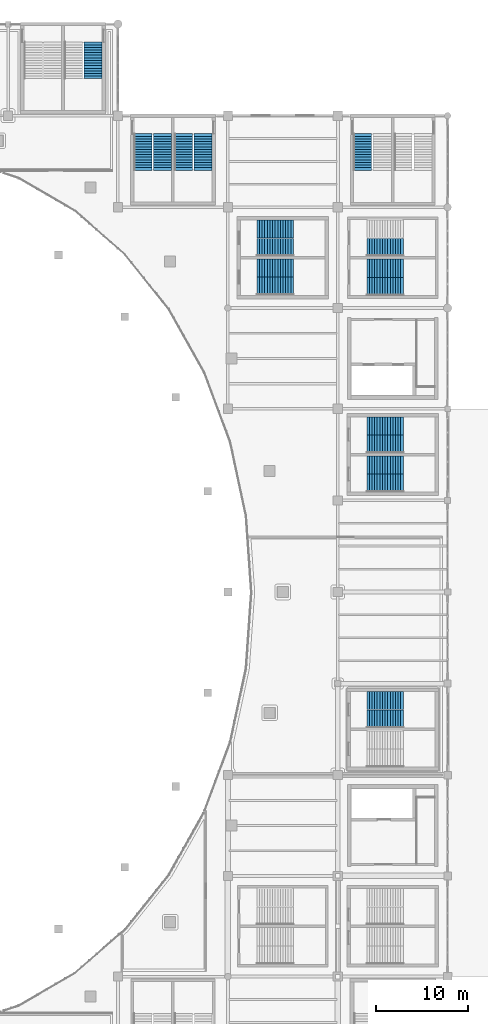
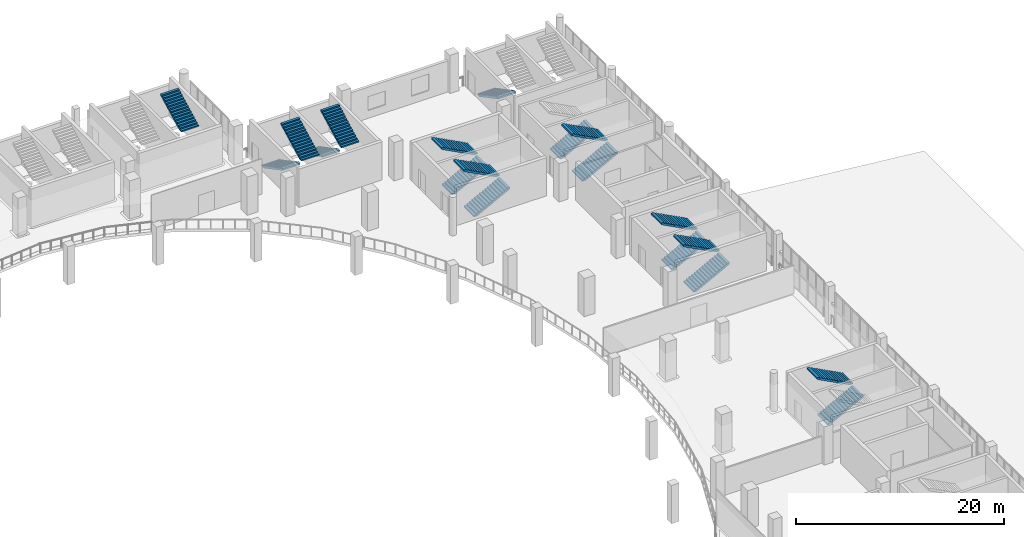
# One storey, part 90 of 108: 19 stair flights, 11 elements without a shape of their own.
"""IFC4 building model written with IfcOpenShell, lengths in metres."""

import ifcopenshell
import ifcopenshell.guid

model = None  # the IFC model being written
_history = None  # IfcOwnerHistory: only IFC2X3 demands one
_inside = {}  # id of a spatial element -> (the spatial element, [elements in it])
_under = {}  # id of a project, library or spatial element -> (it, [spatial elements below it])
_declared = {}  # id of a project -> (the project, [libraries it declares])
_typed = {}  # id of a type object -> (the type object, [elements of that type])
_made_of = {}  # id of a material, layer set ... -> (it, [elements and type objects made of it])


def new_model(schema):
    """Start an empty IFC model of exactly this schema.

    Asked for "IFC4X3", IfcOpenShell would pick the latest addendum, in which some entities
    have other attributes; the version numbers below select the first issue.
    IFC2X3 requires an IfcOwnerHistory on every rooted entity: one is made here for all.
    """
    global model, _history
    if schema == "IFC4X3":
        model = ifcopenshell.file(schema_version=(4, 3, 0, 0))
    else:
        model = ifcopenshell.file(schema=schema)
    _inside.clear()
    _under.clear()
    _declared.clear()
    _typed.clear()
    _made_of.clear()
    _history = None
    if model.schema == "IFC2X3":
        org = make("IfcOrganization", Name="unknown")
        user = make(
            "IfcPersonAndOrganization",
            ThePerson=make("IfcPerson", FamilyName="unknown"),
            TheOrganization=org,
        )
        app = make(
            "IfcApplication",
            ApplicationDeveloper=org,
            Version="unknown",
            ApplicationFullName="unknown",
            ApplicationIdentifier="unknown",
        )
        _history = make(
            "IfcOwnerHistory",
            OwningUser=user,
            OwningApplication=app,
            ChangeAction="ADDED",
            CreationDate=0,
        )
    return model


def make(cls, **values):
    """One entity of the class cls with the attributes given. An attribute that is None is left unset."""
    return model.create_entity(
        cls, **{name: value for name, value in values.items() if value is not None}
    )


def rooted(cls, **values):
    """An entity with a GlobalId (a new one), such as an element, a storey or a relation."""
    return make(cls, GlobalId=ifcopenshell.guid.new(), OwnerHistory=_history, **values)


def si_unit(unit_type, name, prefix=None):
    """IfcSIUnit, for example si_unit("LENGTHUNIT", "METRE", prefix="MILLI")."""
    return make("IfcSIUnit", UnitType=unit_type, Prefix=prefix, Name=name)


def assignment(units):
    """IfcUnitAssignment: the units of a project."""
    return None if units is None else make("IfcUnitAssignment", Units=units)


def point(xyz):
    """IfcCartesianPoint."""
    return None if xyz is None else make("IfcCartesianPoint", Coordinates=xyz)


def direction(xyz):
    """IfcDirection."""
    return None if xyz is None else make("IfcDirection", DirectionRatios=xyz)


def frame(location, z_axis=None, x_axis=None):
    """IfcAxis2Placement3D, a coordinate frame: its origin and axes. An axis left out is left unset."""
    return make(
        "IfcAxis2Placement3D",
        Location=point(location),
        Axis=direction(z_axis),
        RefDirection=direction(x_axis),
    )


def origin():
    """The frame at (0, 0, 0) with its axes left unset."""
    return frame((0.0, 0.0, 0.0))


def place(relative_to, where):
    """IfcLocalPlacement: puts the frame where relative to a parent placement (None: the world)."""
    return make(
        "IfcLocalPlacement", PlacementRelTo=relative_to, RelativePlacement=where
    )


def context(
    kind, dimensions, precision=None, world=None, true_north=None, identifier=None
):
    """IfcGeometricRepresentationContext, for example the 3D "Model" context."""
    return make(
        "IfcGeometricRepresentationContext",
        ContextIdentifier=identifier,
        ContextType=kind,
        CoordinateSpaceDimension=dimensions,
        Precision=precision,
        WorldCoordinateSystem=world,
        TrueNorth=true_north,
    )


def subcontext(parent, identifier, kind, view, scale=None):
    """IfcGeometricRepresentationSubContext, for example "Body" below "Model"."""
    return make(
        "IfcGeometricRepresentationSubContext",
        ContextIdentifier=identifier,
        ContextType=kind,
        ParentContext=parent,
        TargetScale=scale,
        TargetView=view,
    )


def project(units=None, contexts=None):
    """IfcProject with its units and contexts."""
    return rooted(
        "IfcProject",
        Name="project",
        RepresentationContexts=contexts,
        UnitsInContext=assignment(units),
    )


def spatial(cls, under=None, at=None, **own):
    """A site, building, storey or space (cls), placed at a placement, below another one or the project."""
    s = rooted(cls, ObjectPlacement=at, **own)
    if under is not None:
        _under.setdefault(under.id(), (under, []))[1].append(s)
    return s


def polyline(points):
    """IfcPolyline through the points."""
    return make("IfcPolyline", Points=[point(p) for p in points])


def outline(outer, holes=None, kind="AREA"):
    """IfcArbitraryClosedProfileDef: a profile drawn as a closed curve; with holes, ...WithVoids."""
    if holes is None:
        return make("IfcArbitraryClosedProfileDef", ProfileType=kind, OuterCurve=outer)
    return make(
        "IfcArbitraryProfileDefWithVoids",
        ProfileType=kind,
        OuterCurve=outer,
        InnerCurves=holes,
    )


def extrude(swept, where, along, depth):
    """IfcExtrudedAreaSolid: the profile swept, set in the frame where, extruded along a direction by depth."""
    return make(
        "IfcExtrudedAreaSolid",
        SweptArea=swept,
        Position=where,
        ExtrudedDirection=direction(along),
        Depth=depth,
    )


def shape(context_of_items, identifier, shape_type, items):
    """IfcShapeRepresentation: the items that make up one representation, for example the "Body"."""
    return make(
        "IfcShapeRepresentation",
        ContextOfItems=context_of_items,
        RepresentationIdentifier=identifier,
        RepresentationType=shape_type,
        Items=items,
    )


def material(Name=None, Category=None):
    """IfcMaterial."""
    return make("IfcMaterial", Name=Name, Category=Category)


def layer(
    of_material, thickness, ventilated=None, Name=None, Category=None, Priority=None
):
    """IfcMaterialLayer: one layer of a wall or slab, of a material (None: an air gap)."""
    return make(
        "IfcMaterialLayer",
        Material=of_material,
        LayerThickness=thickness,
        IsVentilated=ventilated,
        Name=Name,
        Category=Category,
        Priority=Priority,
    )


def layer_set(layers, Name=None):
    """IfcMaterialLayerSet."""
    return make("IfcMaterialLayerSet", MaterialLayers=layers, LayerSetName=Name)


def made_of(thing, what):
    """Note that an element or type object is made of a material, layer set ...; save() writes the relation."""
    if what is not None:
        _made_of.setdefault(what.id(), (what, []))[1].append(thing)
    return thing


def type_object(cls, material=None, **own):
    """A type object (cls), such as IfcWallType, which elements share."""
    return made_of(rooted(cls, **own), material)


def element(
    cls,
    number,
    at=None,
    inside=None,
    cuts=None,
    type_object=None,
    material=None,
    context=None,
    identifier="Body",
    shape_type=None,
    held_by="IfcProductDefinitionShape",
    body=None,
    shapes=None,
    **own,
):
    """One element of the class cls, such as IfcWall. Its Tag is "e" and its number.

    at: its placement. inside: the storey or other place that contains it. cuts: it is an
    opening in that element (IfcRelVoidsElement). A single representation is given by context,
    identifier, shape_type and body (its items); several are given by shapes. held_by: the class
    of the entity that holds the representations. save() writes the other relations.
    """
    e = rooted(cls, Tag="e%d" % number, ObjectPlacement=at, **own)
    if body is not None:
        shapes = [shape(context, identifier, shape_type, body)]
    if shapes is not None:
        e.Representation = make(held_by, Representations=shapes)
    if inside is not None:
        _inside.setdefault(inside.id(), (inside, []))[1].append(e)
    if cuts is not None:
        rooted(
            "IfcRelVoidsElement", RelatingBuildingElement=cuts, RelatedOpeningElement=e
        )
    if type_object is not None:
        _typed.setdefault(type_object.id(), (type_object, []))[1].append(e)
    return made_of(e, material)


def aggregate(whole, parts):
    """IfcRelAggregates: a whole, such as a stair, and the parts it consists of."""
    return rooted("IfcRelAggregates", RelatingObject=whole, RelatedObjects=parts)


def save(model, path):
    """Write the relations noted so far, then the file.

    IfcRelAggregates (storeys below a building ...), IfcRelContainedInSpatialStructure (elements
    in a storey), IfcRelDefinesByType, IfcRelAssociatesMaterial and IfcRelDeclares: one each for
    every whole, place, type object, material and project.
    """
    for whole, parts in _under.values():
        aggregate(whole, parts)
    for where, things in _inside.values():
        rooted(
            "IfcRelContainedInSpatialStructure",
            RelatedElements=things,
            RelatingStructure=where,
        )
    for kind, things in _typed.values():
        rooted("IfcRelDefinesByType", RelatedObjects=things, RelatingType=kind)
    for what, things in _made_of.values():
        rooted("IfcRelAssociatesMaterial", RelatedObjects=things, RelatingMaterial=what)
    for by, libraries in _declared.values():
        rooted("IfcRelDeclares", RelatingContext=by, RelatedDefinitions=libraries)
    model.write(path)


model = new_model("IFC4")

# Units and contexts
model_context = context("Model", 3, precision=1e-05, world=origin(), true_north=direction((0.0, 1.0)))
body_context = subcontext(model_context, "Body", "Model", "MODEL_VIEW")
ifc_project = project(units=[si_unit("LENGTHUNIT", "METRE"), si_unit("AREAUNIT", "SQUARE_METRE"), si_unit("VOLUMEUNIT", "CUBIC_METRE"), si_unit("PLANEANGLEUNIT", "RADIAN"), si_unit("MASSUNIT", "GRAM", prefix="KILO")], contexts=[model_context])

# Site, building, storey
site_placement = place(None, origin())
site = spatial("IfcSite", under=ifc_project, at=site_placement, CompositionType="ELEMENT")
building_placement = place(site_placement, origin())
building = spatial("IfcBuilding", under=site, at=building_placement, Name="Brinegate Civic Arena", CompositionType="ELEMENT")
storey_placement = place(building_placement, frame((0.0, 0.0, 10.199951171875)))
storey = spatial("IfcBuildingStorey", under=building, at=storey_placement, Name="L02", CompositionType="ELEMENT", Elevation=10.199951171875)

# Stair, stair flight
ifc_material = material(Name="Concrete C40/50", Category="concrete")
stair_type_1 = type_object("IfcStairType", Name="STAIR-EXIT-3700", PredefinedType="HALF_TURN_STAIR", material=ifc_material)
stair_1_placement = place(storey_placement, origin())
stair_1 = element("IfcStair", 1, at=stair_1_placement, inside=storey, type_object=stair_type_1, Name="Protected Exit Stair ST-03B (L02)", PredefinedType="HALF_TURN_STAIR")
ifc_layer_1 = layer(ifc_material, 0.179931640625, Name="Concrete C40/50")
ifc_layer_set_1 = layer_set([ifc_layer_1], Name="Concrete C40/50")
stair_flight_type_1 = type_object("IfcStairFlightType", Name="FLIGHT-EXIT-3700", PredefinedType="STRAIGHT", material=ifc_layer_set_1)
stair_flight_1_placement = place(storey_placement, frame((129.260009765625, 118.0400390625, 2.25), z_axis=(0.0, 0.0, 1.0), x_axis=(0.0, 1.0, 0.0)))
stair_flight_1 = element("IfcStairFlight", 2, at=stair_flight_1_placement, type_object=stair_flight_type_1, Name="ST-03B flight 2", NumberOfRisers=15, NumberOfTreads=14, PredefinedType="STRAIGHT", RiserHeight=0.15, TreadLength=0.285, context=body_context, shape_type="SweptSolid", body=[
    extrude(outline(polyline([(0.0, 0.0), (0.0, 0.14990234375), (0.284912109375, 0.14990234375), (0.284912109375, 0.300048828125), (0.570068359375, 0.300048828125), (0.570068359375, 0.449951171875), (0.85498046875, 0.449951171875), (0.85498046875, 0.60009765625), (1.139892578125, 0.60009765625), (1.139892578125, 0.75), (1.425048828125, 0.75), (1.425048828125, 0.89990234375), (1.7099609375, 0.89990234375), (1.7099609375, 1.050048828125), (1.9951171875, 1.050048828125), (1.9951171875, 1.199951171875), (2.280029296875, 1.199951171875), (2.280029296875, 1.35009765625), (2.56494140625, 1.35009765625), (2.56494140625, 1.5), (2.85009765625, 1.5), (2.85009765625, 1.64990234375), (3.135009765625, 1.64990234375), (3.135009765625, 1.800048828125), (3.419921875, 1.800048828125), (3.419921875, 1.949951171875), (3.705078125, 1.949951171875), (3.705078125, 2.10009765625), (3.989990234375, 2.10009765625), (3.989990234375, 2.25), (3.989990234375, 1.896728515625), (0.38623046875, 0.0), (0.0, 0.0)])), frame((0.0, 0.97998046875, 0.0), z_axis=(0.0, -1.0, 0.0), x_axis=(1.0, 0.0, 0.0)), (0.0, 0.0, 1.0), 1.9599609375),
])
aggregate(stair_1, [stair_flight_1])

# Stair, stair flights
stair_2_placement = place(storey_placement, origin())
stair_2 = element("IfcStair", 3, at=stair_2_placement, inside=storey, type_object=stair_type_1, Name="Protected Exit Stair ST-09B (L02)", PredefinedType="HALF_TURN_STAIR")
stair_flight_2_placement = place(storey_placement, frame((159.169921875, 78.139892578125, 0.0), z_axis=(0.0, 0.0, 1.0), x_axis=(1.0, 0.0, 0.0)))
stair_flight_2 = element("IfcStairFlight", 4, at=stair_flight_2_placement, type_object=stair_flight_type_1, Name="ST-09B flight 1", NumberOfRisers=15, NumberOfTreads=14, PredefinedType="STRAIGHT", RiserHeight=0.15, TreadLength=0.285, context=body_context, shape_type="SweptSolid", body=[
    extrude(outline(polyline([(0.0, 0.0), (0.0, 0.14990234375), (0.284912109375, 0.14990234375), (0.284912109375, 0.300048828125), (0.570068359375, 0.300048828125), (0.570068359375, 0.449951171875), (0.85498046875, 0.449951171875), (0.85498046875, 0.60009765625), (1.139892578125, 0.60009765625), (1.139892578125, 0.75), (1.425048828125, 0.75), (1.425048828125, 0.89990234375), (1.7099609375, 0.89990234375), (1.7099609375, 1.050048828125), (1.9951171875, 1.050048828125), (1.9951171875, 1.199951171875), (2.280029296875, 1.199951171875), (2.280029296875, 1.35009765625), (2.56494140625, 1.35009765625), (2.56494140625, 1.5), (2.85009765625, 1.5), (2.85009765625, 1.64990234375), (3.135009765625, 1.64990234375), (3.135009765625, 1.800048828125), (3.419921875, 1.800048828125), (3.419921875, 1.949951171875), (3.705078125, 1.949951171875), (3.705078125, 2.10009765625), (3.989990234375, 2.10009765625), (3.989990234375, 2.25), (3.989990234375, 1.896728515625), (0.38623046875, 0.0), (0.0, 0.0)])), frame((0.0, 0.97998046875, 0.0), z_axis=(0.0, -1.0, 0.0), x_axis=(1.0, 0.0, 0.0)), (0.0, 0.0, 1.0), 1.9599609375),
])
stair_flight_3_placement = place(storey_placement, frame((163.159912109375, 80.110107421875, 2.25), z_axis=(0.0, 0.0, 1.0), x_axis=(-1.0, 0.0, 0.0)))
stair_flight_3 = element("IfcStairFlight", 5, at=stair_flight_3_placement, type_object=stair_flight_type_1, Name="ST-09B flight 2", NumberOfRisers=15, NumberOfTreads=14, PredefinedType="STRAIGHT", RiserHeight=0.15, TreadLength=0.285, context=body_context, shape_type="SweptSolid", body=[
    extrude(outline(polyline([(0.0, 0.0), (0.0, 0.14990234375), (0.284912109375, 0.14990234375), (0.284912109375, 0.300048828125), (0.570068359375, 0.300048828125), (0.570068359375, 0.449951171875), (0.85498046875, 0.449951171875), (0.85498046875, 0.60009765625), (1.139892578125, 0.60009765625), (1.139892578125, 0.75), (1.425048828125, 0.75), (1.425048828125, 0.89990234375), (1.7099609375, 0.89990234375), (1.7099609375, 1.050048828125), (1.9951171875, 1.050048828125), (1.9951171875, 1.199951171875), (2.280029296875, 1.199951171875), (2.280029296875, 1.35009765625), (2.56494140625, 1.35009765625), (2.56494140625, 1.5), (2.85009765625, 1.5), (2.85009765625, 1.64990234375), (3.135009765625, 1.64990234375), (3.135009765625, 1.800048828125), (3.419921875, 1.800048828125), (3.419921875, 1.949951171875), (3.705078125, 1.949951171875), (3.705078125, 2.10009765625), (3.989990234375, 2.10009765625), (3.989990234375, 2.25), (3.989990234375, 1.896728515625), (0.38623046875, 0.0), (0.0, 0.0)])), frame((0.0, 0.97998046875, 0.0), z_axis=(0.0, -1.0, 0.0), x_axis=(1.0, 0.0, 0.0)), (0.0, 0.0, 1.0), 1.9599609375),
])
aggregate(stair_2, [stair_flight_2, stair_flight_3])

stair_3_placement = place(storey_placement, origin())
stair_3 = element("IfcStair", 6, at=stair_3_placement, inside=storey, type_object=stair_type_1, Name="Protected Exit Stair ST-10B (L02)", PredefinedType="HALF_TURN_STAIR")
stair_flight_4_placement = place(storey_placement, frame((159.169921875, 48.139892578125, 0.0), z_axis=(0.0, 0.0, 1.0), x_axis=(1.0, 0.0, 0.0)))
stair_flight_4 = element("IfcStairFlight", 7, at=stair_flight_4_placement, type_object=stair_flight_type_1, Name="ST-10B flight 1", NumberOfRisers=15, NumberOfTreads=14, PredefinedType="STRAIGHT", RiserHeight=0.15, TreadLength=0.285, context=body_context, shape_type="SweptSolid", body=[
    extrude(outline(polyline([(0.0, 0.0), (0.0, 0.14990234375), (0.284912109375, 0.14990234375), (0.284912109375, 0.300048828125), (0.570068359375, 0.300048828125), (0.570068359375, 0.449951171875), (0.85498046875, 0.449951171875), (0.85498046875, 0.60009765625), (1.139892578125, 0.60009765625), (1.139892578125, 0.75), (1.425048828125, 0.75), (1.425048828125, 0.89990234375), (1.7099609375, 0.89990234375), (1.7099609375, 1.050048828125), (1.9951171875, 1.050048828125), (1.9951171875, 1.199951171875), (2.280029296875, 1.199951171875), (2.280029296875, 1.35009765625), (2.56494140625, 1.35009765625), (2.56494140625, 1.5), (2.85009765625, 1.5), (2.85009765625, 1.64990234375), (3.135009765625, 1.64990234375), (3.135009765625, 1.800048828125), (3.419921875, 1.800048828125), (3.419921875, 1.949951171875), (3.705078125, 1.949951171875), (3.705078125, 2.10009765625), (3.989990234375, 2.10009765625), (3.989990234375, 2.25), (3.989990234375, 1.896728515625), (0.38623046875, 0.0), (0.0, 0.0)])), frame((0.0, 0.97998046875, 0.0), z_axis=(0.0, -1.0, 0.0), x_axis=(1.0, 0.0, 0.0)), (0.0, 0.0, 1.0), 1.9599609375),
])
stair_flight_5_placement = place(storey_placement, frame((163.159912109375, 50.1298828125, 2.25), z_axis=(0.0, 0.0, 1.0), x_axis=(-1.0, 0.0, 0.0)))
stair_flight_5 = element("IfcStairFlight", 8, at=stair_flight_5_placement, type_object=stair_flight_type_1, Name="ST-10B flight 2", NumberOfRisers=15, NumberOfTreads=14, PredefinedType="STRAIGHT", RiserHeight=0.15, TreadLength=0.285, context=body_context, shape_type="SweptSolid", body=[
    extrude(outline(polyline([(0.0, 0.0), (0.0, 0.14990234375), (0.284912109375, 0.14990234375), (0.284912109375, 0.300048828125), (0.570068359375, 0.300048828125), (0.570068359375, 0.449951171875), (0.85498046875, 0.449951171875), (0.85498046875, 0.60009765625), (1.139892578125, 0.60009765625), (1.139892578125, 0.75), (1.425048828125, 0.75), (1.425048828125, 0.89990234375), (1.7099609375, 0.89990234375), (1.7099609375, 1.050048828125), (1.9951171875, 1.050048828125), (1.9951171875, 1.199951171875), (2.280029296875, 1.199951171875), (2.280029296875, 1.35009765625), (2.56494140625, 1.35009765625), (2.56494140625, 1.5), (2.85009765625, 1.5), (2.85009765625, 1.64990234375), (3.135009765625, 1.64990234375), (3.135009765625, 1.800048828125), (3.419921875, 1.800048828125), (3.419921875, 1.949951171875), (3.705078125, 1.949951171875), (3.705078125, 2.10009765625), (3.989990234375, 2.10009765625), (3.989990234375, 2.25), (3.989990234375, 1.896728515625), (0.38623046875, 0.0), (0.0, 0.0)])), frame((0.0, 0.97998046875, 0.0), z_axis=(0.0, -1.0, 0.0), x_axis=(1.0, 0.0, 0.0)), (0.0, 0.0, 1.0), 1.9599609375),
])
aggregate(stair_3, [stair_flight_4, stair_flight_5])

stair_4_placement = place(storey_placement, origin())
stair_4 = element("IfcStair", 9, at=stair_4_placement, inside=storey, type_object=stair_type_1, Name="Protected Exit Stair ST-13B (L02)", PredefinedType="HALF_TURN_STAIR")
stair_flight_6_placement = place(storey_placement, frame((139.139892578125, 112.030029296875, 0.0), z_axis=(0.0, 0.0, 1.0), x_axis=(0.0, -1.0, 0.0)))
stair_flight_6 = element("IfcStairFlight", 10, at=stair_flight_6_placement, type_object=stair_flight_type_1, Name="ST-13B flight 1", NumberOfRisers=15, NumberOfTreads=14, PredefinedType="STRAIGHT", RiserHeight=0.15, TreadLength=0.285, context=body_context, shape_type="SweptSolid", body=[
    extrude(outline(polyline([(0.0, 0.0), (0.0, 0.14990234375), (0.284912109375, 0.14990234375), (0.284912109375, 0.300048828125), (0.570068359375, 0.300048828125), (0.570068359375, 0.449951171875), (0.85498046875, 0.449951171875), (0.85498046875, 0.60009765625), (1.139892578125, 0.60009765625), (1.139892578125, 0.75), (1.425048828125, 0.75), (1.425048828125, 0.89990234375), (1.7099609375, 0.89990234375), (1.7099609375, 1.050048828125), (1.9951171875, 1.050048828125), (1.9951171875, 1.199951171875), (2.280029296875, 1.199951171875), (2.280029296875, 1.35009765625), (2.56494140625, 1.35009765625), (2.56494140625, 1.5), (2.85009765625, 1.5), (2.85009765625, 1.64990234375), (3.135009765625, 1.64990234375), (3.135009765625, 1.800048828125), (3.419921875, 1.800048828125), (3.419921875, 1.949951171875), (3.705078125, 1.949951171875), (3.705078125, 2.10009765625), (3.989990234375, 2.10009765625), (3.989990234375, 2.25), (3.989990234375, 1.896728515625), (0.38623046875, 0.0), (0.0, 0.0)])), frame((0.0, 0.97998046875, 0.0), z_axis=(0.0, -1.0, 0.0), x_axis=(1.0, 0.0, 0.0)), (0.0, 0.0, 1.0), 1.9599609375),
])
stair_flight_7_placement = place(storey_placement, frame((141.280029296875, 108.0400390625, 2.25), z_axis=(0.0, 0.0, 1.0), x_axis=(0.0, 1.0, 0.0)))
stair_flight_7 = element("IfcStairFlight", 11, at=stair_flight_7_placement, type_object=stair_flight_type_1, Name="ST-13B flight 2", NumberOfRisers=15, NumberOfTreads=14, PredefinedType="STRAIGHT", RiserHeight=0.15, TreadLength=0.285, context=body_context, shape_type="SweptSolid", body=[
    extrude(outline(polyline([(0.0, 0.0), (0.0, 0.14990234375), (0.284912109375, 0.14990234375), (0.284912109375, 0.300048828125), (0.570068359375, 0.300048828125), (0.570068359375, 0.449951171875), (0.85498046875, 0.449951171875), (0.85498046875, 0.60009765625), (1.139892578125, 0.60009765625), (1.139892578125, 0.75), (1.425048828125, 0.75), (1.425048828125, 0.89990234375), (1.7099609375, 0.89990234375), (1.7099609375, 1.050048828125), (1.9951171875, 1.050048828125), (1.9951171875, 1.199951171875), (2.280029296875, 1.199951171875), (2.280029296875, 1.35009765625), (2.56494140625, 1.35009765625), (2.56494140625, 1.5), (2.85009765625, 1.5), (2.85009765625, 1.64990234375), (3.135009765625, 1.64990234375), (3.135009765625, 1.800048828125), (3.419921875, 1.800048828125), (3.419921875, 1.949951171875), (3.705078125, 1.949951171875), (3.705078125, 2.10009765625), (3.989990234375, 2.10009765625), (3.989990234375, 2.25), (3.989990234375, 1.896728515625), (0.38623046875, 0.0), (0.0, 0.0)])), frame((0.0, 0.97998046875, 0.0), z_axis=(0.0, -1.0, 0.0), x_axis=(1.0, 0.0, 0.0)), (0.0, 0.0, 1.0), 1.9599609375),
])
aggregate(stair_4, [stair_flight_6, stair_flight_7])

stair_5_placement = place(storey_placement, origin())
stair_5 = element("IfcStair", 12, at=stair_5_placement, inside=storey, type_object=stair_type_1, Name="Protected Exit Stair ST-18B (L02)", PredefinedType="HALF_TURN_STAIR")
stair_flight_8_placement = place(storey_placement, frame((147.169921875, 99.639892578125, 0.0), z_axis=(0.0, 0.0, 1.0), x_axis=(1.0, 0.0, 0.0)))
stair_flight_8 = element("IfcStairFlight", 13, at=stair_flight_8_placement, type_object=stair_flight_type_1, Name="ST-18B flight 1", NumberOfRisers=15, NumberOfTreads=14, PredefinedType="STRAIGHT", RiserHeight=0.15, TreadLength=0.285, context=body_context, shape_type="SweptSolid", body=[
    extrude(outline(polyline([(0.0, 0.0), (0.0, 0.14990234375), (0.284912109375, 0.14990234375), (0.284912109375, 0.300048828125), (0.570068359375, 0.300048828125), (0.570068359375, 0.449951171875), (0.85498046875, 0.449951171875), (0.85498046875, 0.60009765625), (1.139892578125, 0.60009765625), (1.139892578125, 0.75), (1.425048828125, 0.75), (1.425048828125, 0.89990234375), (1.7099609375, 0.89990234375), (1.7099609375, 1.050048828125), (1.9951171875, 1.050048828125), (1.9951171875, 1.199951171875), (2.280029296875, 1.199951171875), (2.280029296875, 1.35009765625), (2.56494140625, 1.35009765625), (2.56494140625, 1.5), (2.85009765625, 1.5), (2.85009765625, 1.64990234375), (3.135009765625, 1.64990234375), (3.135009765625, 1.800048828125), (3.419921875, 1.800048828125), (3.419921875, 1.949951171875), (3.705078125, 1.949951171875), (3.705078125, 2.10009765625), (3.989990234375, 2.10009765625), (3.989990234375, 2.25), (3.989990234375, 1.896728515625), (0.38623046875, 0.0), (0.0, 0.0)])), frame((0.0, 0.97998046875, 0.0), z_axis=(0.0, -1.0, 0.0), x_axis=(1.0, 0.0, 0.0)), (0.0, 0.0, 1.0), 1.9599609375),
])
stair_flight_9_placement = place(storey_placement, frame((151.159912109375, 101.610107421875, 2.25), z_axis=(0.0, 0.0, 1.0), x_axis=(-1.0, 0.0, 0.0)))
stair_flight_9 = element("IfcStairFlight", 14, at=stair_flight_9_placement, type_object=stair_flight_type_1, Name="ST-18B flight 2", NumberOfRisers=15, NumberOfTreads=14, PredefinedType="STRAIGHT", RiserHeight=0.15, TreadLength=0.285, context=body_context, shape_type="SweptSolid", body=[
    extrude(outline(polyline([(0.0, 0.0), (0.0, 0.14990234375), (0.284912109375, 0.14990234375), (0.284912109375, 0.300048828125), (0.570068359375, 0.300048828125), (0.570068359375, 0.449951171875), (0.85498046875, 0.449951171875), (0.85498046875, 0.60009765625), (1.139892578125, 0.60009765625), (1.139892578125, 0.75), (1.425048828125, 0.75), (1.425048828125, 0.89990234375), (1.7099609375, 0.89990234375), (1.7099609375, 1.050048828125), (1.9951171875, 1.050048828125), (1.9951171875, 1.199951171875), (2.280029296875, 1.199951171875), (2.280029296875, 1.35009765625), (2.56494140625, 1.35009765625), (2.56494140625, 1.5), (2.85009765625, 1.5), (2.85009765625, 1.64990234375), (3.135009765625, 1.64990234375), (3.135009765625, 1.800048828125), (3.419921875, 1.800048828125), (3.419921875, 1.949951171875), (3.705078125, 1.949951171875), (3.705078125, 2.10009765625), (3.989990234375, 2.10009765625), (3.989990234375, 2.25), (3.989990234375, 1.896728515625), (0.38623046875, 0.0), (0.0, 0.0)])), frame((0.0, 0.97998046875, 0.0), z_axis=(0.0, -1.0, 0.0), x_axis=(1.0, 0.0, 0.0)), (0.0, 0.0, 1.0), 1.9599609375),
])
aggregate(stair_5, [stair_flight_8, stair_flight_9])

# Stair, stair flight
stair_6_placement = place(storey_placement, origin())
stair_6 = element("IfcStair", 15, at=stair_6_placement, inside=storey, type_object=stair_type_1, Name="Protected Exit Stair ST-20B (L02)", PredefinedType="HALF_TURN_STAIR")
stair_flight_10_placement = place(storey_placement, frame((159.169921875, 99.639892578125, 0.0), z_axis=(0.0, 0.0, 1.0), x_axis=(1.0, 0.0, 0.0)))
stair_flight_10 = element("IfcStairFlight", 16, at=stair_flight_10_placement, type_object=stair_flight_type_1, Name="ST-20B flight 1", NumberOfRisers=15, NumberOfTreads=14, PredefinedType="STRAIGHT", RiserHeight=0.15, TreadLength=0.285, context=body_context, shape_type="SweptSolid", body=[
    extrude(outline(polyline([(0.0, 0.0), (0.0, 0.14990234375), (0.284912109375, 0.14990234375), (0.284912109375, 0.300048828125), (0.570068359375, 0.300048828125), (0.570068359375, 0.449951171875), (0.85498046875, 0.449951171875), (0.85498046875, 0.60009765625), (1.139892578125, 0.60009765625), (1.139892578125, 0.75), (1.425048828125, 0.75), (1.425048828125, 0.89990234375), (1.7099609375, 0.89990234375), (1.7099609375, 1.050048828125), (1.9951171875, 1.050048828125), (1.9951171875, 1.199951171875), (2.280029296875, 1.199951171875), (2.280029296875, 1.35009765625), (2.56494140625, 1.35009765625), (2.56494140625, 1.5), (2.85009765625, 1.5), (2.85009765625, 1.64990234375), (3.135009765625, 1.64990234375), (3.135009765625, 1.800048828125), (3.419921875, 1.800048828125), (3.419921875, 1.949951171875), (3.705078125, 1.949951171875), (3.705078125, 2.10009765625), (3.989990234375, 2.10009765625), (3.989990234375, 2.25), (3.989990234375, 1.896728515625), (0.38623046875, 0.0), (0.0, 0.0)])), frame((0.0, 0.97998046875, 0.0), z_axis=(0.0, -1.0, 0.0), x_axis=(1.0, 0.0, 0.0)), (0.0, 0.0, 1.0), 1.9599609375),
])
aggregate(stair_6, [stair_flight_10])

stair_type_2 = type_object("IfcStairType", Name="STAIR-EXIT-3850", PredefinedType="HALF_TURN_STAIR", material=ifc_material)
stair_7_placement = place(storey_placement, origin())
stair_7 = element("IfcStair", 17, at=stair_7_placement, inside=storey, type_object=stair_type_2, Name="Protected Exit Stair ST-05A (L02)", PredefinedType="HALF_TURN_STAIR")
ifc_layer_2 = layer(ifc_material, 0.179931640625, Name="Concrete C40/50")
ifc_layer_set_2 = layer_set([ifc_layer_2], Name="Concrete C40/50")
stair_flight_type_2 = type_object("IfcStairFlightType", Name="FLIGHT-EXIT-3850", PredefinedType="STRAIGHT", material=ifc_layer_set_2)
stair_flight_11_placement = place(storey_placement, frame((158.699951171875, 112.030029296875, 0.0), z_axis=(0.0, 0.0, 1.0), x_axis=(0.0, -1.0, 0.0)))
stair_flight_11 = element("IfcStairFlight", 18, at=stair_flight_11_placement, type_object=stair_flight_type_2, Name="ST-05A flight 1", NumberOfRisers=15, NumberOfTreads=14, PredefinedType="STRAIGHT", RiserHeight=0.15, TreadLength=0.285, context=body_context, shape_type="SweptSolid", body=[
    extrude(outline(polyline([(0.0, 0.0), (0.0, 0.14990234375), (0.284912109375, 0.14990234375), (0.284912109375, 0.300048828125), (0.570068359375, 0.300048828125), (0.570068359375, 0.449951171875), (0.85498046875, 0.449951171875), (0.85498046875, 0.60009765625), (1.139892578125, 0.60009765625), (1.139892578125, 0.75), (1.425048828125, 0.75), (1.425048828125, 0.89990234375), (1.7099609375, 0.89990234375), (1.7099609375, 1.050048828125), (1.9951171875, 1.050048828125), (1.9951171875, 1.199951171875), (2.280029296875, 1.199951171875), (2.280029296875, 1.35009765625), (2.56494140625, 1.35009765625), (2.56494140625, 1.5), (2.85009765625, 1.5), (2.85009765625, 1.64990234375), (3.135009765625, 1.64990234375), (3.135009765625, 1.800048828125), (3.419921875, 1.800048828125), (3.419921875, 1.949951171875), (3.705078125, 1.949951171875), (3.705078125, 2.10009765625), (3.989990234375, 2.10009765625), (3.989990234375, 2.25), (3.989990234375, 1.896728515625), (0.38623046875, 0.0), (0.0, 0.0)])), frame((0.0, 0.989990234375, 0.0), z_axis=(0.0, -1.0, 0.0), x_axis=(1.0, 0.0, 0.0)), (0.0, 0.0, 1.0), 1.97998046875),
])
aggregate(stair_7, [stair_flight_11])

# Stair, stair flights
stair_8_placement = place(storey_placement, origin())
stair_8 = element("IfcStair", 19, at=stair_8_placement, inside=storey, type_object=stair_type_2, Name="Protected Exit Stair ST-09A (L02)", PredefinedType="HALF_TURN_STAIR")
stair_flight_12_placement = place(storey_placement, frame((159.169921875, 73.89306640625, 0.0), z_axis=(0.0, 0.0, 1.0), x_axis=(1.0, 0.0, 0.0)))
stair_flight_12 = element("IfcStairFlight", 20, at=stair_flight_12_placement, type_object=stair_flight_type_2, Name="ST-09A flight 1", NumberOfRisers=15, NumberOfTreads=14, PredefinedType="STRAIGHT", RiserHeight=0.15, TreadLength=0.285, context=body_context, shape_type="SweptSolid", body=[
    extrude(outline(polyline([(0.0, 0.0), (0.0, 0.14990234375), (0.284912109375, 0.14990234375), (0.284912109375, 0.300048828125), (0.570068359375, 0.300048828125), (0.570068359375, 0.449951171875), (0.85498046875, 0.449951171875), (0.85498046875, 0.60009765625), (1.139892578125, 0.60009765625), (1.139892578125, 0.75), (1.425048828125, 0.75), (1.425048828125, 0.89990234375), (1.7099609375, 0.89990234375), (1.7099609375, 1.050048828125), (1.9951171875, 1.050048828125), (1.9951171875, 1.199951171875), (2.280029296875, 1.199951171875), (2.280029296875, 1.35009765625), (2.56494140625, 1.35009765625), (2.56494140625, 1.5), (2.85009765625, 1.5), (2.85009765625, 1.64990234375), (3.135009765625, 1.64990234375), (3.135009765625, 1.800048828125), (3.419921875, 1.800048828125), (3.419921875, 1.949951171875), (3.705078125, 1.949951171875), (3.705078125, 2.10009765625), (3.989990234375, 2.10009765625), (3.989990234375, 2.25), (3.989990234375, 1.896728515625), (0.38623046875, 0.0), (0.0, 0.0)])), frame((0.0, 0.982421875, 0.0), z_axis=(0.0, -1.0, 0.0), x_axis=(1.0, 0.0, 0.0)), (0.0, 0.0, 1.0), 1.965087890625),
])
stair_flight_13_placement = place(storey_placement, frame((163.159912109375, 75.85791015625, 2.25), z_axis=(0.0, 0.0, 1.0), x_axis=(-1.0, 0.0, 0.0)))
stair_flight_13 = element("IfcStairFlight", 21, at=stair_flight_13_placement, type_object=stair_flight_type_2, Name="ST-09A flight 2", NumberOfRisers=15, NumberOfTreads=14, PredefinedType="STRAIGHT", RiserHeight=0.15, TreadLength=0.285, context=body_context, shape_type="SweptSolid", body=[
    extrude(outline(polyline([(0.0, 0.0), (0.0, 0.14990234375), (0.284912109375, 0.14990234375), (0.284912109375, 0.300048828125), (0.570068359375, 0.300048828125), (0.570068359375, 0.449951171875), (0.85498046875, 0.449951171875), (0.85498046875, 0.60009765625), (1.139892578125, 0.60009765625), (1.139892578125, 0.75), (1.425048828125, 0.75), (1.425048828125, 0.89990234375), (1.7099609375, 0.89990234375), (1.7099609375, 1.050048828125), (1.9951171875, 1.050048828125), (1.9951171875, 1.199951171875), (2.280029296875, 1.199951171875), (2.280029296875, 1.35009765625), (2.56494140625, 1.35009765625), (2.56494140625, 1.5), (2.85009765625, 1.5), (2.85009765625, 1.64990234375), (3.135009765625, 1.64990234375), (3.135009765625, 1.800048828125), (3.419921875, 1.800048828125), (3.419921875, 1.949951171875), (3.705078125, 1.949951171875), (3.705078125, 2.10009765625), (3.989990234375, 2.10009765625), (3.989990234375, 2.25), (3.989990234375, 1.896728515625), (0.38623046875, 0.0), (0.0, 0.0)])), frame((0.0, 0.982421875, 0.0), z_axis=(0.0, -1.0, 0.0), x_axis=(1.0, 0.0, 0.0)), (0.0, 0.0, 1.0), 1.965087890625),
])
aggregate(stair_8, [stair_flight_12, stair_flight_13])

stair_9_placement = place(storey_placement, origin())
stair_9 = element("IfcStair", 22, at=stair_9_placement, inside=storey, type_object=stair_type_2, Name="Protected Exit Stair ST-13A (L02)", PredefinedType="HALF_TURN_STAIR")
stair_flight_14_placement = place(storey_placement, frame((134.72998046875, 112.030029296875, 0.0), z_axis=(0.0, 0.0, 1.0), x_axis=(0.0, -1.0, 0.0)))
stair_flight_14 = element("IfcStairFlight", 23, at=stair_flight_14_placement, type_object=stair_flight_type_2, Name="ST-13A flight 1", NumberOfRisers=15, NumberOfTreads=14, PredefinedType="STRAIGHT", RiserHeight=0.15, TreadLength=0.285, context=body_context, shape_type="SweptSolid", body=[
    extrude(outline(polyline([(0.0, 0.0), (0.0, 0.14990234375), (0.284912109375, 0.14990234375), (0.284912109375, 0.300048828125), (0.570068359375, 0.300048828125), (0.570068359375, 0.449951171875), (0.85498046875, 0.449951171875), (0.85498046875, 0.60009765625), (1.139892578125, 0.60009765625), (1.139892578125, 0.75), (1.425048828125, 0.75), (1.425048828125, 0.89990234375), (1.7099609375, 0.89990234375), (1.7099609375, 1.050048828125), (1.9951171875, 1.050048828125), (1.9951171875, 1.199951171875), (2.280029296875, 1.199951171875), (2.280029296875, 1.35009765625), (2.56494140625, 1.35009765625), (2.56494140625, 1.5), (2.85009765625, 1.5), (2.85009765625, 1.64990234375), (3.135009765625, 1.64990234375), (3.135009765625, 1.800048828125), (3.419921875, 1.800048828125), (3.419921875, 1.949951171875), (3.705078125, 1.949951171875), (3.705078125, 2.10009765625), (3.989990234375, 2.10009765625), (3.989990234375, 2.25), (3.989990234375, 1.896728515625), (0.38623046875, 0.0), (0.0, 0.0)])), frame((0.0, 0.989990234375, 0.0), z_axis=(0.0, -1.0, 0.0), x_axis=(1.0, 0.0, 0.0)), (0.0, 0.0, 1.0), 1.97998046875),
])
stair_flight_15_placement = place(storey_placement, frame((136.85009765625, 108.0400390625, 2.25), z_axis=(0.0, 0.0, 1.0), x_axis=(0.0, 1.0, 0.0)))
stair_flight_15 = element("IfcStairFlight", 24, at=stair_flight_15_placement, type_object=stair_flight_type_2, Name="ST-13A flight 2", NumberOfRisers=15, NumberOfTreads=14, PredefinedType="STRAIGHT", RiserHeight=0.15, TreadLength=0.285, context=body_context, shape_type="SweptSolid", body=[
    extrude(outline(polyline([(0.0, 0.0), (0.0, 0.14990234375), (0.284912109375, 0.14990234375), (0.284912109375, 0.300048828125), (0.570068359375, 0.300048828125), (0.570068359375, 0.449951171875), (0.85498046875, 0.449951171875), (0.85498046875, 0.60009765625), (1.139892578125, 0.60009765625), (1.139892578125, 0.75), (1.425048828125, 0.75), (1.425048828125, 0.89990234375), (1.7099609375, 0.89990234375), (1.7099609375, 1.050048828125), (1.9951171875, 1.050048828125), (1.9951171875, 1.199951171875), (2.280029296875, 1.199951171875), (2.280029296875, 1.35009765625), (2.56494140625, 1.35009765625), (2.56494140625, 1.5), (2.85009765625, 1.5), (2.85009765625, 1.64990234375), (3.135009765625, 1.64990234375), (3.135009765625, 1.800048828125), (3.419921875, 1.800048828125), (3.419921875, 1.949951171875), (3.705078125, 1.949951171875), (3.705078125, 2.10009765625), (3.989990234375, 2.10009765625), (3.989990234375, 2.25), (3.989990234375, 1.896728515625), (0.38623046875, 0.0), (0.0, 0.0)])), frame((0.0, 0.989990234375, 0.0), z_axis=(0.0, -1.0, 0.0), x_axis=(1.0, 0.0, 0.0)), (0.0, 0.0, 1.0), 1.97998046875),
])
aggregate(stair_9, [stair_flight_14, stair_flight_15])

stair_10_placement = place(storey_placement, origin())
stair_10 = element("IfcStair", 25, at=stair_10_placement, inside=storey, type_object=stair_type_2, Name="Protected Exit Stair ST-18A (L02)", PredefinedType="HALF_TURN_STAIR")
stair_flight_16_placement = place(storey_placement, frame((147.169921875, 95.39306640625, 0.0), z_axis=(0.0, 0.0, 1.0), x_axis=(1.0, 0.0, 0.0)))
stair_flight_16 = element("IfcStairFlight", 26, at=stair_flight_16_placement, type_object=stair_flight_type_2, Name="ST-18A flight 1", NumberOfRisers=15, NumberOfTreads=14, PredefinedType="STRAIGHT", RiserHeight=0.15, TreadLength=0.285, context=body_context, shape_type="SweptSolid", body=[
    extrude(outline(polyline([(0.0, 0.0), (0.0, 0.14990234375), (0.284912109375, 0.14990234375), (0.284912109375, 0.300048828125), (0.570068359375, 0.300048828125), (0.570068359375, 0.449951171875), (0.85498046875, 0.449951171875), (0.85498046875, 0.60009765625), (1.139892578125, 0.60009765625), (1.139892578125, 0.75), (1.425048828125, 0.75), (1.425048828125, 0.89990234375), (1.7099609375, 0.89990234375), (1.7099609375, 1.050048828125), (1.9951171875, 1.050048828125), (1.9951171875, 1.199951171875), (2.280029296875, 1.199951171875), (2.280029296875, 1.35009765625), (2.56494140625, 1.35009765625), (2.56494140625, 1.5), (2.85009765625, 1.5), (2.85009765625, 1.64990234375), (3.135009765625, 1.64990234375), (3.135009765625, 1.800048828125), (3.419921875, 1.800048828125), (3.419921875, 1.949951171875), (3.705078125, 1.949951171875), (3.705078125, 2.10009765625), (3.989990234375, 2.10009765625), (3.989990234375, 2.25), (3.989990234375, 1.896728515625), (0.38623046875, 0.0), (0.0, 0.0)])), frame((0.0, 0.982421875, 0.0), z_axis=(0.0, -1.0, 0.0), x_axis=(1.0, 0.0, 0.0)), (0.0, 0.0, 1.0), 1.965087890625),
])
stair_flight_17_placement = place(storey_placement, frame((151.159912109375, 97.35791015625, 2.25), z_axis=(0.0, 0.0, 1.0), x_axis=(-1.0, 0.0, 0.0)))
stair_flight_17 = element("IfcStairFlight", 27, at=stair_flight_17_placement, type_object=stair_flight_type_2, Name="ST-18A flight 2", NumberOfRisers=15, NumberOfTreads=14, PredefinedType="STRAIGHT", RiserHeight=0.15, TreadLength=0.285, context=body_context, shape_type="SweptSolid", body=[
    extrude(outline(polyline([(0.0, 0.0), (0.0, 0.14990234375), (0.284912109375, 0.14990234375), (0.284912109375, 0.300048828125), (0.570068359375, 0.300048828125), (0.570068359375, 0.449951171875), (0.85498046875, 0.449951171875), (0.85498046875, 0.60009765625), (1.139892578125, 0.60009765625), (1.139892578125, 0.75), (1.425048828125, 0.75), (1.425048828125, 0.89990234375), (1.7099609375, 0.89990234375), (1.7099609375, 1.050048828125), (1.9951171875, 1.050048828125), (1.9951171875, 1.199951171875), (2.280029296875, 1.199951171875), (2.280029296875, 1.35009765625), (2.56494140625, 1.35009765625), (2.56494140625, 1.5), (2.85009765625, 1.5), (2.85009765625, 1.64990234375), (3.135009765625, 1.64990234375), (3.135009765625, 1.800048828125), (3.419921875, 1.800048828125), (3.419921875, 1.949951171875), (3.705078125, 1.949951171875), (3.705078125, 2.10009765625), (3.989990234375, 2.10009765625), (3.989990234375, 2.25), (3.989990234375, 1.896728515625), (0.38623046875, 0.0), (0.0, 0.0)])), frame((0.0, 0.982421875, 0.0), z_axis=(0.0, -1.0, 0.0), x_axis=(1.0, 0.0, 0.0)), (0.0, 0.0, 1.0), 1.965087890625),
])
aggregate(stair_10, [stair_flight_16, stair_flight_17])

stair_11_placement = place(storey_placement, origin())
stair_11 = element("IfcStair", 28, at=stair_11_placement, inside=storey, type_object=stair_type_2, Name="Protected Exit Stair ST-20A (L02)", PredefinedType="HALF_TURN_STAIR")
stair_flight_18_placement = place(storey_placement, frame((159.169921875, 95.35009765625, 0.0), z_axis=(0.0, 0.0, 1.0), x_axis=(1.0, 0.0, 0.0)))
stair_flight_18 = element("IfcStairFlight", 29, at=stair_flight_18_placement, type_object=stair_flight_type_2, Name="ST-20A flight 1", NumberOfRisers=15, NumberOfTreads=14, PredefinedType="STRAIGHT", RiserHeight=0.15, TreadLength=0.285, context=body_context, shape_type="SweptSolid", body=[
    extrude(outline(polyline([(0.0, 0.0), (0.0, 0.14990234375), (0.284912109375, 0.14990234375), (0.284912109375, 0.300048828125), (0.570068359375, 0.300048828125), (0.570068359375, 0.449951171875), (0.85498046875, 0.449951171875), (0.85498046875, 0.60009765625), (1.139892578125, 0.60009765625), (1.139892578125, 0.75), (1.425048828125, 0.75), (1.425048828125, 0.89990234375), (1.7099609375, 0.89990234375), (1.7099609375, 1.050048828125), (1.9951171875, 1.050048828125), (1.9951171875, 1.199951171875), (2.280029296875, 1.199951171875), (2.280029296875, 1.35009765625), (2.56494140625, 1.35009765625), (2.56494140625, 1.5), (2.85009765625, 1.5), (2.85009765625, 1.64990234375), (3.135009765625, 1.64990234375), (3.135009765625, 1.800048828125), (3.419921875, 1.800048828125), (3.419921875, 1.949951171875), (3.705078125, 1.949951171875), (3.705078125, 2.10009765625), (3.989990234375, 2.10009765625), (3.989990234375, 2.25), (3.989990234375, 1.896728515625), (0.38623046875, 0.0), (0.0, 0.0)])), frame((0.0, 0.989990234375, 0.0), z_axis=(0.0, -1.0, 0.0), x_axis=(1.0, 0.0, 0.0)), (0.0, 0.0, 1.0), 1.97998046875),
])
stair_flight_19_placement = place(storey_placement, frame((163.159912109375, 97.35009765625, 2.25), z_axis=(0.0, 0.0, 1.0), x_axis=(-1.0, 0.0, 0.0)))
stair_flight_19 = element("IfcStairFlight", 30, at=stair_flight_19_placement, type_object=stair_flight_type_2, Name="ST-20A flight 2", NumberOfRisers=15, NumberOfTreads=14, PredefinedType="STRAIGHT", RiserHeight=0.15, TreadLength=0.285, context=body_context, shape_type="SweptSolid", body=[
    extrude(outline(polyline([(0.0, 0.0), (0.0, 0.14990234375), (0.284912109375, 0.14990234375), (0.284912109375, 0.300048828125), (0.570068359375, 0.300048828125), (0.570068359375, 0.449951171875), (0.85498046875, 0.449951171875), (0.85498046875, 0.60009765625), (1.139892578125, 0.60009765625), (1.139892578125, 0.75), (1.425048828125, 0.75), (1.425048828125, 0.89990234375), (1.7099609375, 0.89990234375), (1.7099609375, 1.050048828125), (1.9951171875, 1.050048828125), (1.9951171875, 1.199951171875), (2.280029296875, 1.199951171875), (2.280029296875, 1.35009765625), (2.56494140625, 1.35009765625), (2.56494140625, 1.5), (2.85009765625, 1.5), (2.85009765625, 1.64990234375), (3.135009765625, 1.64990234375), (3.135009765625, 1.800048828125), (3.419921875, 1.800048828125), (3.419921875, 1.949951171875), (3.705078125, 1.949951171875), (3.705078125, 2.10009765625), (3.989990234375, 2.10009765625), (3.989990234375, 2.25), (3.989990234375, 1.896728515625), (0.38623046875, 0.0), (0.0, 0.0)])), frame((0.0, 0.989990234375, 0.0), z_axis=(0.0, -1.0, 0.0), x_axis=(1.0, 0.0, 0.0)), (0.0, 0.0, 1.0), 1.97998046875),
])
aggregate(stair_11, [stair_flight_18, stair_flight_19])

save(model, "model.ifc")
